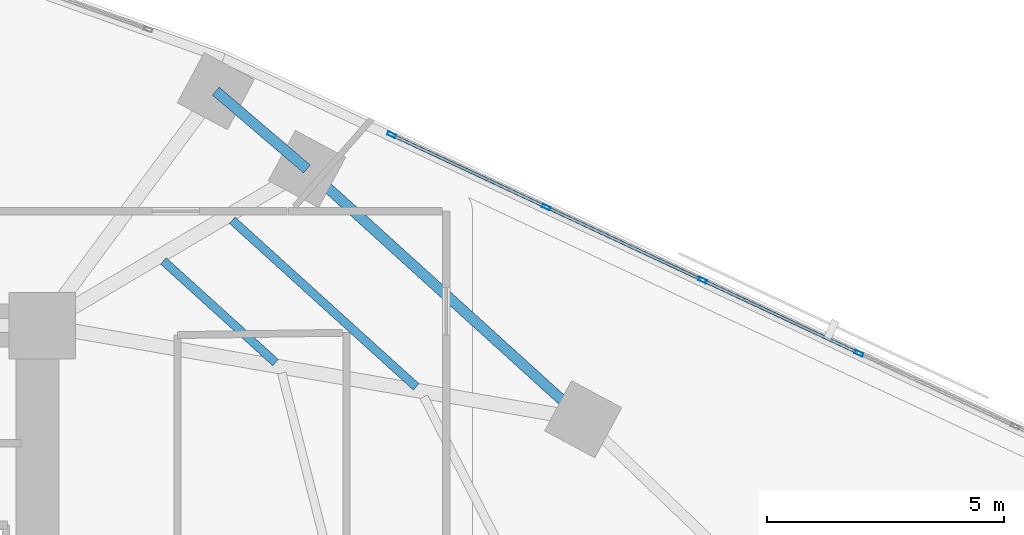
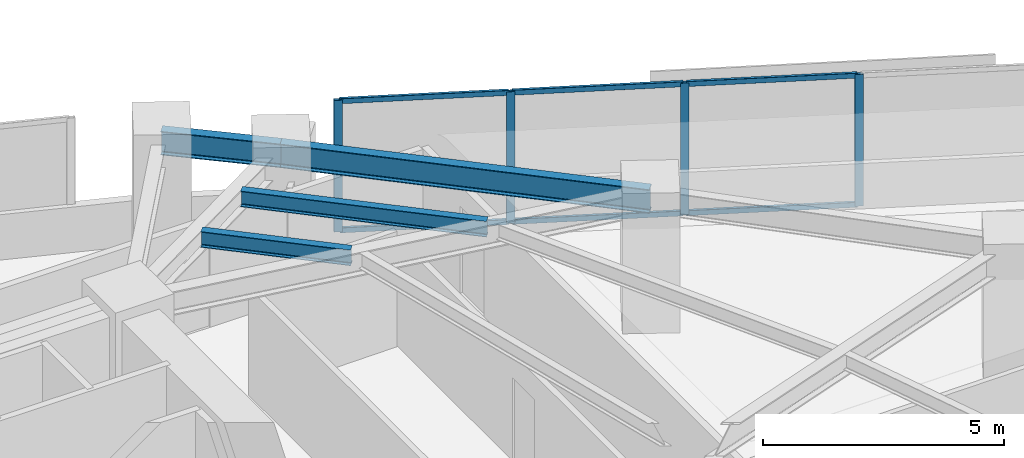
# One storey, part 4 of 15: 10 members, 4 beams, 1 element without a shape of its own.
"""IFC4 building model written with IfcOpenShell, lengths in metres."""

from ifc_helpers import new_model, si_unit, direction, frame, origin, origin_2d, place, context, subcontext, project, spatial, hollow_rectangle, i_section, extrude, material, material_profile, profile_set, type_object, element, aggregate, save


model = new_model("IFC4")

# Units and contexts
model_context = context("Model", 3, precision=1e-05, world=origin(), true_north=direction((0.0, 1.0)))
body_context = subcontext(model_context, "Body", "Model", "MODEL_VIEW")
ifc_project = project(units=[si_unit("LENGTHUNIT", "METRE"), si_unit("AREAUNIT", "SQUARE_METRE"), si_unit("VOLUMEUNIT", "CUBIC_METRE"), si_unit("PLANEANGLEUNIT", "RADIAN"), si_unit("MASSUNIT", "GRAM", prefix="KILO")], contexts=[model_context])

# Site, building, storey
site_placement = place(None, origin())
site = spatial("IfcSite", under=ifc_project, at=site_placement, CompositionType="ELEMENT")
building_placement = place(site_placement, origin())
building = spatial("IfcBuilding", under=site, at=building_placement, Name="Narakoshi Arena Tower", CompositionType="ELEMENT")
storey_placement = place(building_placement, frame((0.0, 0.0, 157.5)))
storey = spatial("IfcBuildingStorey", under=building, at=storey_placement, Name="L42", CompositionType="ELEMENT", Elevation=157.5)

# Beams
ifc_material_1 = material(Name="Structural steel S355J2", Category="steel")
ifc_material_profile_1 = material_profile(ifc_material_1, i_section(OverallWidth=0.219970703125, OverallDepth=0.60009765625, WebThickness=0.011962890625, FlangeThickness=0.01904296875, FilletRadius=0.02392578125, at=origin_2d()), Name="IPE600")
ifc_profile_set_1 = profile_set([ifc_material_profile_1], Name="Structural steel S355J2")
beam_type_1 = type_object("IfcBeamType", Name="BM-EDGE-600", PredefinedType="BEAM", material=ifc_profile_set_1)
beam_1_placement = place(storey_placement, frame((96.9443359375, 54.528076171875, 3.0400390625), z_axis=(-0.741140720169, 0.671349709844, 0.0), x_axis=(-0.671349709844, -0.741140720169, 0.0)))
element("IfcBeam", 1, at=beam_1_placement, inside=storey, type_object=beam_type_1, Name="L42 Perimeter Edge Girder 06", PredefinedType="BEAM", context=body_context, shape_type="SweptSolid", body=[
    extrude(i_section(OverallWidth=0.219970703125, OverallDepth=0.60009765625, WebThickness=0.011962890625, FlangeThickness=0.01904296875, FilletRadius=0.02392578125, at=origin_2d()), origin(), (0.0, 0.0, 1.0), 7.849853515625),
])
beam_2_placement = place(storey_placement, frame((91.12646484375, 59.798095703125, 3.0400390625), z_axis=(-0.760388602298, 0.649468377595, 0.0), x_axis=(-0.649468377595, -0.760388602298, 0.0)))
element("IfcBeam", 2, at=beam_2_placement, inside=storey, type_object=beam_type_1, Name="L42 Perimeter Edge Girder 07", PredefinedType="BEAM", context=body_context, shape_type="SweptSolid", body=[
    extrude(i_section(OverallWidth=0.219970703125, OverallDepth=0.60009765625, WebThickness=0.011962890625, FlangeThickness=0.01904296875, FilletRadius=0.02392578125, at=origin_2d()), origin(), (0.0, 0.0, 1.0), 2.524658203125),
])
ifc_material_profile_2 = material_profile(ifc_material_1, i_section(OverallWidth=0.179931640625, OverallDepth=0.39990234375, WebThickness=0.008544921875, FlangeThickness=0.013427734375, FilletRadius=0.02099609375, at=origin_2d()), Name="IPE400")
ifc_profile_set_2 = profile_set([ifc_material_profile_2], Name="Structural steel S355J2")
beam_type_2 = type_object("IfcBeamType", Name="BM-SEC-400", PredefinedType="JOIST", material=ifc_profile_set_2)
beam_3_placement = place(storey_placement, frame((90.46337890625, 55.722900390625, 3.139892578125), z_axis=(-0.741097827097, 0.671397058879, 0.0), x_axis=(-0.671397058879, -0.741097827097, 0.0)))
element("IfcBeam", 3, at=beam_3_placement, inside=storey, type_object=beam_type_2, Name="L42 Composite Secondary Floor Joist 05", PredefinedType="JOIST", context=body_context, shape_type="SweptSolid", body=[
    extrude(i_section(OverallWidth=0.179931640625, OverallDepth=0.39990234375, WebThickness=0.008544921875, FlangeThickness=0.013427734375, FilletRadius=0.02099609375, at=origin_2d()), origin(), (0.0, 0.0, 1.0), 3.183837890625),
])
beam_4_placement = place(storey_placement, frame((93.426025390625, 55.210205078125, 3.139892578125), z_axis=(-0.741148224451, 0.671341425351, 0.0), x_axis=(-0.671341425351, -0.741148224451, 0.0)))
element("IfcBeam", 4, at=beam_4_placement, inside=storey, type_object=beam_type_2, Name="L42 Composite Secondary Floor Joist 06", PredefinedType="JOIST", context=body_context, shape_type="SweptSolid", body=[
    extrude(i_section(OverallWidth=0.179931640625, OverallDepth=0.39990234375, WebThickness=0.008544921875, FlangeThickness=0.013427734375, FilletRadius=0.02099609375, at=origin_2d()), origin(), (0.0, 0.0, 1.0), 5.22509765625),
])

# Curtain wall, members
ifc_material_2 = material(Name="Anodised bronze aluminium 6063-T6", Category="aluminium")
curtain_wall_type = type_object("IfcCurtainWallType", Name="CW-HYP-MID", PredefinedType="NOTDEFINED", material=ifc_material_2)
curtain_wall_placement = place(storey_placement, origin())
curtain_wall = element("IfcCurtainWall", 5, at=curtain_wall_placement, inside=storey, type_object=curtain_wall_type, Name="L42 Folded Hypotenuse Curtain Wall 1-1", PredefinedType="NOTDEFINED")
ifc_material_profile_3 = material_profile(ifc_material_2, hollow_rectangle(XDim=0.074951171875, YDim=0.179931640625, WallThickness=0.00390625, OuterFilletRadius=0.0048828125, at=origin_2d()), Name="MUL180x75x4")
ifc_profile_set_3 = profile_set([ifc_material_profile_3], Name="Anodised bronze aluminium 6063-T6")
member_type_1 = type_object("IfcMemberType", Name="MEM-MUL-180", PredefinedType="MULLION", material=ifc_profile_set_3)
member_1_placement = place(storey_placement, frame((102.75048828125, 55.917236328125, 0.0), z_axis=(0.0, 0.0, 1.0), x_axis=(-0.423531721612, -0.905881273009, 0.0)))
member_1 = element("IfcMember", 6, at=member_1_placement, type_object=member_type_1, Name="CW-02 mullion 6", PredefinedType="MULLION", context=body_context, shape_type="SweptSolid", body=[
    extrude(hollow_rectangle(XDim=0.074951171875, YDim=0.179931640625, WallThickness=0.00390625, OuterFilletRadius=0.0048828125, at=origin_2d()), origin(), (0.0, 0.0, 1.0), 3.340087890625),
])
member_2_placement = place(storey_placement, frame((99.458984375, 57.4560546875, 0.0), z_axis=(0.0, 0.0, 1.0), x_axis=(-0.423531721612, -0.905881273009, 0.0)))
member_2 = element("IfcMember", 7, at=member_2_placement, type_object=member_type_1, Name="CW-02 mullion 7", PredefinedType="MULLION", context=body_context, shape_type="SweptSolid", body=[
    extrude(hollow_rectangle(XDim=0.074951171875, YDim=0.179931640625, WallThickness=0.00390625, OuterFilletRadius=0.0048828125, at=origin_2d()), origin(), (0.0, 0.0, 1.0), 3.340087890625),
])
member_3_placement = place(storey_placement, frame((96.16748046875, 58.994873046875, 0.0), z_axis=(0.0, 0.0, 1.0), x_axis=(-0.423531721612, -0.905881273009, 0.0)))
member_3 = element("IfcMember", 8, at=member_3_placement, type_object=member_type_1, Name="CW-02 mullion 8", PredefinedType="MULLION", context=body_context, shape_type="SweptSolid", body=[
    extrude(hollow_rectangle(XDim=0.074951171875, YDim=0.179931640625, WallThickness=0.00390625, OuterFilletRadius=0.0048828125, at=origin_2d()), origin(), (0.0, 0.0, 1.0), 3.340087890625),
])
member_4_placement = place(storey_placement, frame((92.91015625, 60.517822265625, 0.0), z_axis=(0.0, 0.0, 1.0), x_axis=(-0.423531721612, -0.905881273009, 0.0)))
member_4 = element("IfcMember", 9, at=member_4_placement, type_object=member_type_1, Name="CW-02 mullion 9", PredefinedType="MULLION", context=body_context, shape_type="SweptSolid", body=[
    extrude(hollow_rectangle(XDim=0.074951171875, YDim=0.179931640625, WallThickness=0.00390625, OuterFilletRadius=0.0048828125, at=origin_2d()), origin(), (0.0, 0.0, 1.0), 3.340087890625),
])
ifc_material_profile_4 = material_profile(ifc_material_2, hollow_rectangle(XDim=0.06494140625, YDim=0.1298828125, WallThickness=0.00390625, OuterFilletRadius=0.0048828125, at=origin_2d()), Name="TRN130x65x4")
ifc_profile_set_4 = profile_set([ifc_material_profile_4], Name="Anodised bronze aluminium 6063-T6")
member_type_2 = type_object("IfcMemberType", Name="MEM-TRN-130", PredefinedType="USERDEFINED", material=ifc_profile_set_4)
member_5_placement = place(storey_placement, frame((102.716552734375, 55.93310546875, 0.032470703125), z_axis=(-0.905877908574, 0.423538917642, 0.0), x_axis=(-0.423538917642, -0.905877908574, 0.0)))
member_5 = element("IfcMember", 10, at=member_5_placement, type_object=member_type_2, Name="CW-02 transom 6.1", ObjectType="TRANSOM", PredefinedType="USERDEFINED", context=body_context, shape_type="SweptSolid", body=[
    extrude(hollow_rectangle(XDim=0.06494140625, YDim=0.1298828125, WallThickness=0.00390625, OuterFilletRadius=0.0048828125, at=origin_2d()), origin(), (0.0, 0.0, 1.0), 3.558349609375),
])
member_6_placement = place(storey_placement, frame((102.716552734375, 55.93310546875, 3.3076171875), z_axis=(-0.905877908574, 0.423538917642, 0.0), x_axis=(-0.423538917642, -0.905877908574, 0.0)))
member_6 = element("IfcMember", 11, at=member_6_placement, type_object=member_type_2, Name="CW-02 transom 6.2", ObjectType="TRANSOM", PredefinedType="USERDEFINED", context=body_context, shape_type="SweptSolid", body=[
    extrude(hollow_rectangle(XDim=0.06494140625, YDim=0.1298828125, WallThickness=0.00390625, OuterFilletRadius=0.0048828125, at=origin_2d()), origin(), (0.0, 0.0, 1.0), 3.558349609375),
])
member_7_placement = place(storey_placement, frame((99.425048828125, 57.471923828125, 0.032470703125), z_axis=(-0.905877908574, 0.423538917642, 0.0), x_axis=(-0.423538917642, -0.905877908574, 0.0)))
member_7 = element("IfcMember", 12, at=member_7_placement, type_object=member_type_2, Name="CW-02 transom 7.1", ObjectType="TRANSOM", PredefinedType="USERDEFINED", context=body_context, shape_type="SweptSolid", body=[
    extrude(hollow_rectangle(XDim=0.06494140625, YDim=0.1298828125, WallThickness=0.00390625, OuterFilletRadius=0.0048828125, at=origin_2d()), origin(), (0.0, 0.0, 1.0), 3.558349609375),
])
member_8_placement = place(storey_placement, frame((99.425048828125, 57.471923828125, 3.3076171875), z_axis=(-0.905877908574, 0.423538917642, 0.0), x_axis=(-0.423538917642, -0.905877908574, 0.0)))
member_8 = element("IfcMember", 13, at=member_8_placement, type_object=member_type_2, Name="CW-02 transom 7.2", ObjectType="TRANSOM", PredefinedType="USERDEFINED", context=body_context, shape_type="SweptSolid", body=[
    extrude(hollow_rectangle(XDim=0.06494140625, YDim=0.1298828125, WallThickness=0.00390625, OuterFilletRadius=0.0048828125, at=origin_2d()), origin(), (0.0, 0.0, 1.0), 3.558349609375),
])
member_9_placement = place(storey_placement, frame((96.133544921875, 59.0107421875, 0.032470703125), z_axis=(-0.9058782068, 0.423538279787, 0.0), x_axis=(-0.423538279787, -0.9058782068, 0.0)))
member_9 = element("IfcMember", 14, at=member_9_placement, type_object=member_type_2, Name="CW-02 transom 8.1", ObjectType="TRANSOM", PredefinedType="USERDEFINED", context=body_context, shape_type="SweptSolid", body=[
    extrude(hollow_rectangle(XDim=0.06494140625, YDim=0.1298828125, WallThickness=0.00390625, OuterFilletRadius=0.0048828125, at=origin_2d()), origin(), (0.0, 0.0, 1.0), 3.520751953125),
])
member_10_placement = place(storey_placement, frame((96.133544921875, 59.0107421875, 3.3076171875), z_axis=(-0.9058782068, 0.423538279787, 0.0), x_axis=(-0.423538279787, -0.9058782068, 0.0)))
member_10 = element("IfcMember", 15, at=member_10_placement, type_object=member_type_2, Name="CW-02 transom 8.2", ObjectType="TRANSOM", PredefinedType="USERDEFINED", context=body_context, shape_type="SweptSolid", body=[
    extrude(hollow_rectangle(XDim=0.06494140625, YDim=0.1298828125, WallThickness=0.00390625, OuterFilletRadius=0.0048828125, at=origin_2d()), origin(), (0.0, 0.0, 1.0), 3.520751953125),
])
aggregate(curtain_wall, [member_1, member_2, member_3, member_4, member_5, member_6, member_7, member_8, member_9, member_10])

save(model, "model.ifc")
